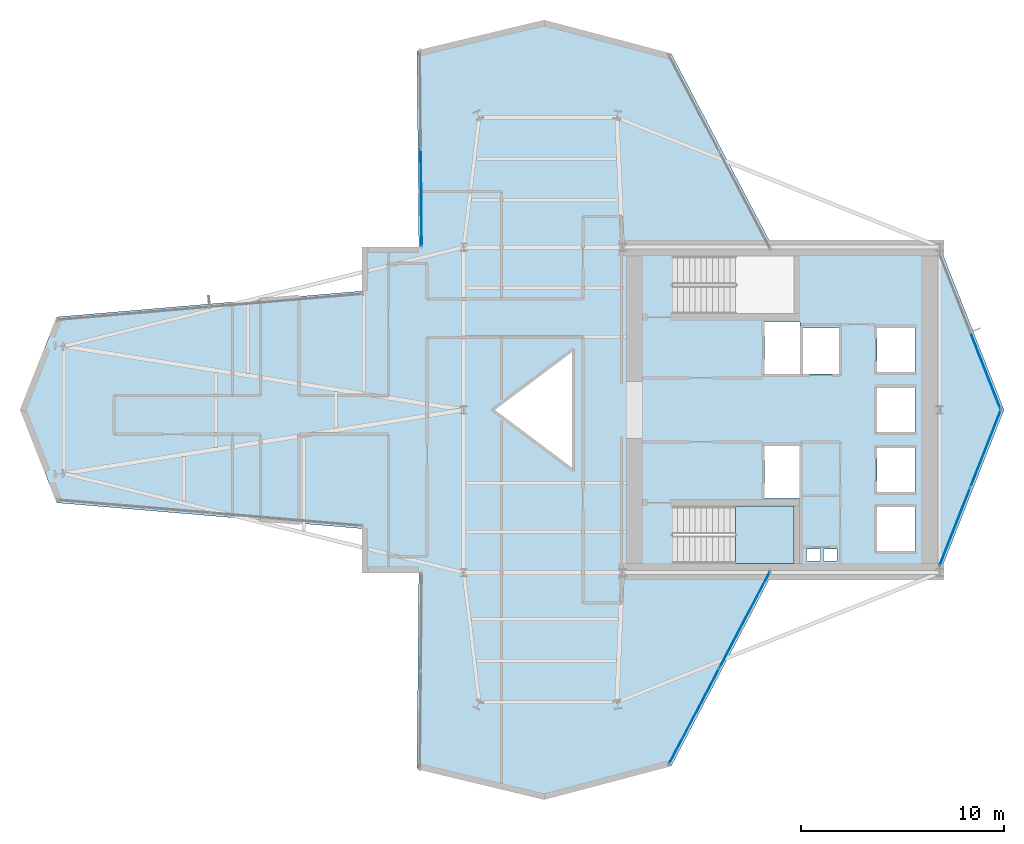
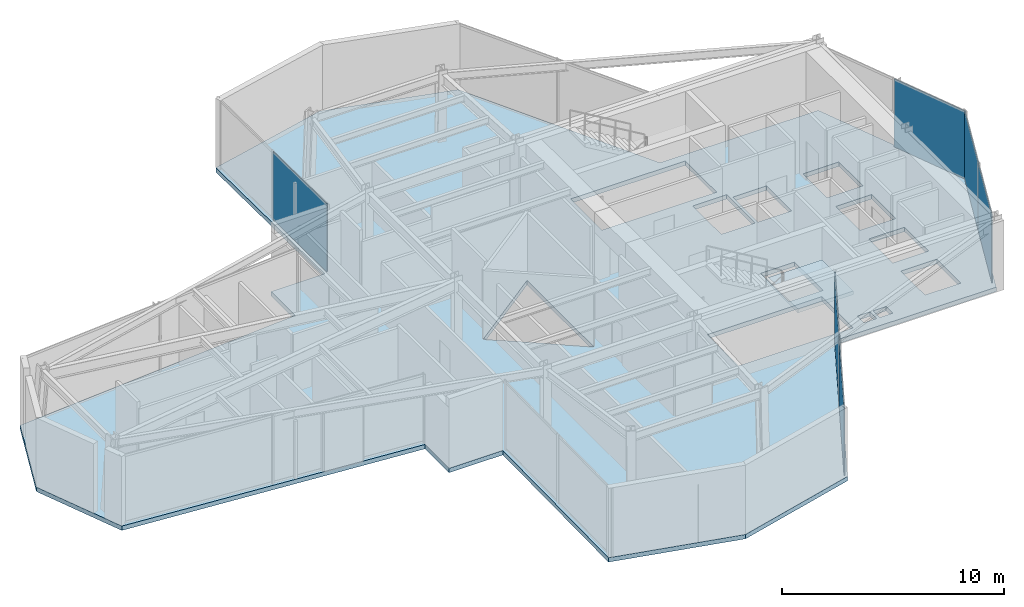
# One storey, part 20 of 25: 6 plates, 2 slabs, 5 elements without a shape of their own.
"""IFC4 building model written with IfcOpenShell, lengths in metres."""

import ifcopenshell
import ifcopenshell.guid

model = None  # the IFC model being written
_history = None  # IfcOwnerHistory: only IFC2X3 demands one
_inside = {}  # id of a spatial element -> (the spatial element, [elements in it])
_under = {}  # id of a project, library or spatial element -> (it, [spatial elements below it])
_declared = {}  # id of a project -> (the project, [libraries it declares])
_typed = {}  # id of a type object -> (the type object, [elements of that type])
_made_of = {}  # id of a material, layer set ... -> (it, [elements and type objects made of it])


def new_model(schema):
    """Start an empty IFC model of exactly this schema.

    Asked for "IFC4X3", IfcOpenShell would pick the latest addendum, in which some entities
    have other attributes; the version numbers below select the first issue.
    IFC2X3 requires an IfcOwnerHistory on every rooted entity: one is made here for all.
    """
    global model, _history
    if schema == "IFC4X3":
        model = ifcopenshell.file(schema_version=(4, 3, 0, 0))
    else:
        model = ifcopenshell.file(schema=schema)
    _inside.clear()
    _under.clear()
    _declared.clear()
    _typed.clear()
    _made_of.clear()
    _history = None
    if model.schema == "IFC2X3":
        org = make("IfcOrganization", Name="unknown")
        user = make(
            "IfcPersonAndOrganization",
            ThePerson=make("IfcPerson", FamilyName="unknown"),
            TheOrganization=org,
        )
        app = make(
            "IfcApplication",
            ApplicationDeveloper=org,
            Version="unknown",
            ApplicationFullName="unknown",
            ApplicationIdentifier="unknown",
        )
        _history = make(
            "IfcOwnerHistory",
            OwningUser=user,
            OwningApplication=app,
            ChangeAction="ADDED",
            CreationDate=0,
        )
    return model


def make(cls, **values):
    """One entity of the class cls with the attributes given. An attribute that is None is left unset."""
    return model.create_entity(
        cls, **{name: value for name, value in values.items() if value is not None}
    )


def rooted(cls, **values):
    """An entity with a GlobalId (a new one), such as an element, a storey or a relation."""
    return make(cls, GlobalId=ifcopenshell.guid.new(), OwnerHistory=_history, **values)


def si_unit(unit_type, name, prefix=None):
    """IfcSIUnit, for example si_unit("LENGTHUNIT", "METRE", prefix="MILLI")."""
    return make("IfcSIUnit", UnitType=unit_type, Prefix=prefix, Name=name)


def assignment(units):
    """IfcUnitAssignment: the units of a project."""
    return None if units is None else make("IfcUnitAssignment", Units=units)


def point(xyz):
    """IfcCartesianPoint."""
    return None if xyz is None else make("IfcCartesianPoint", Coordinates=xyz)


def direction(xyz):
    """IfcDirection."""
    return None if xyz is None else make("IfcDirection", DirectionRatios=xyz)


def frame(location, z_axis=None, x_axis=None):
    """IfcAxis2Placement3D, a coordinate frame: its origin and axes. An axis left out is left unset."""
    return make(
        "IfcAxis2Placement3D",
        Location=point(location),
        Axis=direction(z_axis),
        RefDirection=direction(x_axis),
    )


def frame_2d(location, x_axis=None):
    """IfcAxis2Placement2D, a coordinate frame in the plane: its origin and x axis."""
    return make(
        "IfcAxis2Placement2D", Location=point(location), RefDirection=direction(x_axis)
    )


def origin():
    """The frame at (0, 0, 0) with its axes left unset."""
    return frame((0.0, 0.0, 0.0))


def origin_2d():
    """The frame at (0, 0) in the plane with its x axis left unset."""
    return frame_2d((0.0, 0.0))


def place(relative_to, where):
    """IfcLocalPlacement: puts the frame where relative to a parent placement (None: the world)."""
    return make(
        "IfcLocalPlacement", PlacementRelTo=relative_to, RelativePlacement=where
    )


def context(
    kind, dimensions, precision=None, world=None, true_north=None, identifier=None
):
    """IfcGeometricRepresentationContext, for example the 3D "Model" context."""
    return make(
        "IfcGeometricRepresentationContext",
        ContextIdentifier=identifier,
        ContextType=kind,
        CoordinateSpaceDimension=dimensions,
        Precision=precision,
        WorldCoordinateSystem=world,
        TrueNorth=true_north,
    )


def subcontext(parent, identifier, kind, view, scale=None):
    """IfcGeometricRepresentationSubContext, for example "Body" below "Model"."""
    return make(
        "IfcGeometricRepresentationSubContext",
        ContextIdentifier=identifier,
        ContextType=kind,
        ParentContext=parent,
        TargetScale=scale,
        TargetView=view,
    )


def project(units=None, contexts=None):
    """IfcProject with its units and contexts."""
    return rooted(
        "IfcProject",
        Name="project",
        RepresentationContexts=contexts,
        UnitsInContext=assignment(units),
    )


def spatial(cls, under=None, at=None, **own):
    """A site, building, storey or space (cls), placed at a placement, below another one or the project."""
    s = rooted(cls, ObjectPlacement=at, **own)
    if under is not None:
        _under.setdefault(under.id(), (under, []))[1].append(s)
    return s


def polyline(points):
    """IfcPolyline through the points."""
    return make("IfcPolyline", Points=[point(p) for p in points])


def profile(cls, at=None, kind="AREA", **sizes):
    """A parametric profile (cls). Its sizes go by their IFC names, for example OverallWidth=200.0."""
    return make(cls, ProfileType=kind, Position=at, **sizes)


def rectangle(**sizes):
    """IfcRectangleProfileDef."""
    return profile("IfcRectangleProfileDef", **sizes)


def outline(outer, holes=None, kind="AREA"):
    """IfcArbitraryClosedProfileDef: a profile drawn as a closed curve; with holes, ...WithVoids."""
    if holes is None:
        return make("IfcArbitraryClosedProfileDef", ProfileType=kind, OuterCurve=outer)
    return make(
        "IfcArbitraryProfileDefWithVoids",
        ProfileType=kind,
        OuterCurve=outer,
        InnerCurves=holes,
    )


def extrude(swept, where, along, depth):
    """IfcExtrudedAreaSolid: the profile swept, set in the frame where, extruded along a direction by depth."""
    return make(
        "IfcExtrudedAreaSolid",
        SweptArea=swept,
        Position=where,
        ExtrudedDirection=direction(along),
        Depth=depth,
    )


def shape(context_of_items, identifier, shape_type, items):
    """IfcShapeRepresentation: the items that make up one representation, for example the "Body"."""
    return make(
        "IfcShapeRepresentation",
        ContextOfItems=context_of_items,
        RepresentationIdentifier=identifier,
        RepresentationType=shape_type,
        Items=items,
    )


def material(Name=None, Category=None):
    """IfcMaterial."""
    return make("IfcMaterial", Name=Name, Category=Category)


def layer(
    of_material, thickness, ventilated=None, Name=None, Category=None, Priority=None
):
    """IfcMaterialLayer: one layer of a wall or slab, of a material (None: an air gap)."""
    return make(
        "IfcMaterialLayer",
        Material=of_material,
        LayerThickness=thickness,
        IsVentilated=ventilated,
        Name=Name,
        Category=Category,
        Priority=Priority,
    )


def layer_set(layers, Name=None):
    """IfcMaterialLayerSet."""
    return make("IfcMaterialLayerSet", MaterialLayers=layers, LayerSetName=Name)


def made_of(thing, what):
    """Note that an element or type object is made of a material, layer set ...; save() writes the relation."""
    if what is not None:
        _made_of.setdefault(what.id(), (what, []))[1].append(thing)
    return thing


def type_object(cls, material=None, **own):
    """A type object (cls), such as IfcWallType, which elements share."""
    return made_of(rooted(cls, **own), material)


def element(
    cls,
    number,
    at=None,
    inside=None,
    cuts=None,
    type_object=None,
    material=None,
    context=None,
    identifier="Body",
    shape_type=None,
    held_by="IfcProductDefinitionShape",
    body=None,
    shapes=None,
    **own,
):
    """One element of the class cls, such as IfcWall. Its Tag is "e" and its number.

    at: its placement. inside: the storey or other place that contains it. cuts: it is an
    opening in that element (IfcRelVoidsElement). A single representation is given by context,
    identifier, shape_type and body (its items); several are given by shapes. held_by: the class
    of the entity that holds the representations. save() writes the other relations.
    """
    e = rooted(cls, Tag="e%d" % number, ObjectPlacement=at, **own)
    if body is not None:
        shapes = [shape(context, identifier, shape_type, body)]
    if shapes is not None:
        e.Representation = make(held_by, Representations=shapes)
    if inside is not None:
        _inside.setdefault(inside.id(), (inside, []))[1].append(e)
    if cuts is not None:
        rooted(
            "IfcRelVoidsElement", RelatingBuildingElement=cuts, RelatedOpeningElement=e
        )
    if type_object is not None:
        _typed.setdefault(type_object.id(), (type_object, []))[1].append(e)
    return made_of(e, material)


def aggregate(whole, parts):
    """IfcRelAggregates: a whole, such as a stair, and the parts it consists of."""
    return rooted("IfcRelAggregates", RelatingObject=whole, RelatedObjects=parts)


def save(model, path):
    """Write the relations noted so far, then the file.

    IfcRelAggregates (storeys below a building ...), IfcRelContainedInSpatialStructure (elements
    in a storey), IfcRelDefinesByType, IfcRelAssociatesMaterial and IfcRelDeclares: one each for
    every whole, place, type object, material and project.
    """
    for whole, parts in _under.values():
        aggregate(whole, parts)
    for where, things in _inside.values():
        rooted(
            "IfcRelContainedInSpatialStructure",
            RelatedElements=things,
            RelatingStructure=where,
        )
    for kind, things in _typed.values():
        rooted("IfcRelDefinesByType", RelatedObjects=things, RelatingType=kind)
    for what, things in _made_of.values():
        rooted("IfcRelAssociatesMaterial", RelatedObjects=things, RelatingMaterial=what)
    for by, libraries in _declared.values():
        rooted("IfcRelDeclares", RelatingContext=by, RelatedDefinitions=libraries)
    model.write(path)


model = new_model("IFC4")

# Units and contexts
model_context = context("Model", 3, precision=1e-05, world=origin(), true_north=direction((0.0, 1.0)))
body_context = subcontext(model_context, "Body", "Model", "MODEL_VIEW")
ifc_project = project(units=[si_unit("LENGTHUNIT", "METRE"), si_unit("AREAUNIT", "SQUARE_METRE"), si_unit("VOLUMEUNIT", "CUBIC_METRE"), si_unit("PLANEANGLEUNIT", "RADIAN"), si_unit("MASSUNIT", "GRAM", prefix="KILO")], contexts=[model_context])

# Site, building, storey
site_placement = place(None, origin())
site = spatial("IfcSite", under=ifc_project, at=site_placement, CompositionType="ELEMENT")
building_placement = place(site_placement, origin())
building = spatial("IfcBuilding", under=site, at=building_placement, Name="Veymaron Broadcast Tower", CompositionType="ELEMENT")
storey_placement = place(building_placement, frame((0.0, 0.0, 149.25)))
storey = spatial("IfcBuildingStorey", under=building, at=storey_placement, Name="L34", CompositionType="ELEMENT", Elevation=149.25)

# Curtain wall, plates
ifc_material_1 = material(Name="Anodised aluminium AA 6063-T6 and laminated low-E dark glass", Category="aluminium")
ifc_layer_1 = layer(ifc_material_1, 0.179931640625)
ifc_layer_set_1 = layer_set([ifc_layer_1], Name="Anodised aluminium AA 6063-T6 and laminated low-E dark glass")
curtain_wall_type = type_object("IfcCurtainWallType", Name="CW-SYS-03", PredefinedType="NOTDEFINED", material=ifc_layer_set_1)
curtain_wall_1_placement = place(storey_placement, origin())
curtain_wall_1 = element("IfcCurtainWall", 1, at=curtain_wall_1_placement, inside=storey, type_object=curtain_wall_type, Name="L34 dark-glass curtain wall CW-L34-E2-1", PredefinedType="NOTDEFINED")
ifc_material_2 = material(Name="Insulated dark-anodised aluminium spandrel panel 40 mm", Category="aluminium")
ifc_layer_2 = layer(ifc_material_2, 0.0400390625)
ifc_layer_set_2 = layer_set([ifc_layer_2], Name="Insulated dark-anodised aluminium spandrel panel 40 mm")
plate_type = type_object("IfcPlateType", Name="CW-PNL-03", PredefinedType="CURTAIN_PANEL", material=ifc_layer_set_2)
plate_1_placement = place(storey_placement, frame((55.331787109375, 18.240478515625, 0.0400390625), z_axis=(0.0, 0.0, 1.0), x_axis=(0.366371312352, 0.930468732137, 0.0)))
plate_1 = element("IfcPlate", 2, at=plate_1_placement, type_object=plate_type, Name="CW-L34-E2-1 unitised curtain panel 0", PredefinedType="CURTAIN_PANEL", context=body_context, shape_type="SweptSolid", body=[
    extrude(rectangle(XDim=4.103515625, YDim=0.0400390625, at=origin_2d()), origin(), (0.0, 0.0, 1.0), 3.72998046875),
])
plate_2_placement = place(storey_placement, frame((56.85693359375, 22.1142578125, 0.0400390625), z_axis=(0.0, 0.0, 1.0), x_axis=(0.366371312352, 0.930468732137, 0.0)))
plate_2 = element("IfcPlate", 3, at=plate_2_placement, type_object=plate_type, Name="CW-L34-E2-1 unitised curtain panel 1", PredefinedType="CURTAIN_PANEL", context=body_context, shape_type="SweptSolid", body=[
    extrude(rectangle(XDim=4.103515625, YDim=0.0400390625, at=origin_2d()), origin(), (0.0, 0.0, 1.0), 3.72998046875),
])
aggregate(curtain_wall_1, [plate_1, plate_2])

# Curtain wall, plate
curtain_wall_2_placement = place(storey_placement, origin())
curtain_wall_2 = element("IfcCurtainWall", 4, at=curtain_wall_2_placement, inside=storey, type_object=curtain_wall_type, Name="L34 dark-glass curtain wall CW-L34-E3-1", PredefinedType="NOTDEFINED")
plate_3_placement = place(storey_placement, frame((56.85693359375, 25.8857421875, 0.0400390625), z_axis=(0.0, 0.0, 1.0), x_axis=(-0.366371312352, 0.930468732137, 0.0)))
plate_3 = element("IfcPlate", 5, at=plate_3_placement, type_object=plate_type, Name="CW-L34-E3-1 unitised curtain panel 0", PredefinedType="CURTAIN_PANEL", context=body_context, shape_type="SweptSolid", body=[
    extrude(rectangle(XDim=4.103515625, YDim=0.0400390625, at=origin_2d()), origin(), (0.0, 0.0, 1.0), 3.72998046875),
])
aggregate(curtain_wall_2, [plate_3])

curtain_wall_3_placement = place(storey_placement, origin())
curtain_wall_3 = element("IfcCurtainWall", 6, at=curtain_wall_3_placement, inside=storey, type_object=curtain_wall_type, Name="L34 dark-glass curtain wall CW-L34-E8-1", PredefinedType="NOTDEFINED")
plate_4_placement = place(storey_placement, frame((29.10986328125, 34.413818359375, 0.0400390625), z_axis=(0.0, 0.0, 1.0), x_axis=(0.009354828341, -0.999956242636, 0.0)))
plate_4 = element("IfcPlate", 7, at=plate_4_placement, type_object=plate_type, Name="CW-L34-E8-1 unitised curtain panel 1", PredefinedType="CURTAIN_PANEL", context=body_context, shape_type="SweptSolid", body=[
    extrude(rectangle(XDim=4.76513671875, YDim=0.0400390625, at=origin_2d()), origin(), (0.0, 0.0, 1.0), 3.72998046875),
])
aggregate(curtain_wall_3, [plate_4])

# Curtain wall, plates
curtain_wall_4_placement = place(storey_placement, origin())
curtain_wall_4 = element("IfcCurtainWall", 8, at=curtain_wall_4_placement, inside=storey, type_object=curtain_wall_type, Name="L34 dark-glass curtain wall CW-L34-E20-1", PredefinedType="NOTDEFINED")
plate_5_placement = place(storey_placement, frame((42.519287109375, 8.93994140625, 0.0400390625), z_axis=(0.0, 0.0, 1.0), x_axis=(0.46447113214, 0.885588260654, 0.0)))
plate_5 = element("IfcPlate", 9, at=plate_5_placement, type_object=plate_type, Name="CW-L34-E20-1 unitised curtain panel 0", PredefinedType="CURTAIN_PANEL", context=body_context, shape_type="SweptSolid", body=[
    extrude(rectangle(XDim=5.3037109375, YDim=0.0400390625, at=origin_2d()), origin(), (0.0, 0.0, 1.0), 3.72998046875),
])
plate_6_placement = place(storey_placement, frame((45.0107421875, 13.68994140625, 0.0400390625), z_axis=(0.0, 0.0, 1.0), x_axis=(0.46447113214, 0.885588260654, 0.0)))
plate_6 = element("IfcPlate", 10, at=plate_6_placement, type_object=plate_type, Name="CW-L34-E20-1 unitised curtain panel 1", PredefinedType="CURTAIN_PANEL", context=body_context, shape_type="SweptSolid", body=[
    extrude(rectangle(XDim=5.3037109375, YDim=0.0400390625, at=origin_2d()), origin(), (0.0, 0.0, 1.0), 3.72998046875),
])
aggregate(curtain_wall_4, [plate_5, plate_6])

# Slab
ifc_material_3 = material(Name="Concrete C40/50", Category="concrete")
ifc_layer_3 = layer(ifc_material_3, 0.239990234375)
ifc_layer_set_3 = layer_set([ifc_layer_3], Name="Concrete C40/50")
slab_type_1 = type_object("IfcSlabType", Name="SLAB-FS6", PredefinedType="FLOOR", material=ifc_layer_set_3)
slab_1_placement = place(storey_placement, frame((0.0, 0.0, -0.239990234375)))
element("IfcSlab", 11, at=slab_1_placement, inside=storey, type_object=slab_type_1, Name="L34 structural floor slab", PredefinedType="FLOOR", context=body_context, shape_type="SweptSolid", body=[
    extrude(outline(polyline([(46.38037109375, 16.0), (54.60009765625, 16.0), (57.75, 24.0), (54.60009765625, 32.0), (46.38037109375, 32.0), (41.397705078125, 41.5), (35.14990234375, 43.14990234375), (28.902099609375, 41.64990234375), (28.992431640625, 32.0), (26.199951171875, 32.0), (26.199951171875, 29.837890625), (11.199951171875, 28.565673828125), (9.39990234375, 24.0), (11.199951171875, 19.434326171875), (26.199951171875, 18.162109375), (26.199951171875, 16.0), (28.992431640625, 16.0), (28.902099609375, 6.35009765625), (35.14990234375, 4.85009765625), (41.397705078125, 6.5), (46.38037109375, 16.0)]), holes=[polyline([(45.969970703125, 28.330078125), (47.72998046875, 28.330078125), (47.72998046875, 25.77001953125), (45.969970703125, 25.77001953125), (45.969970703125, 28.330078125)]), polyline([(45.969970703125, 22.22998046875), (47.72998046875, 22.22998046875), (47.72998046875, 19.669921875), (45.969970703125, 19.669921875), (45.969970703125, 22.22998046875)]), polyline([(47.8701171875, 28.030029296875), (49.6298828125, 28.030029296875), (49.6298828125, 25.77001953125), (47.8701171875, 25.77001953125), (47.8701171875, 28.030029296875)]), polyline([(51.52001953125, 28.030029296875), (53.3798828125, 28.030029296875), (53.3798828125, 25.8701171875), (51.52001953125, 25.8701171875), (51.52001953125, 28.030029296875)]), polyline([(51.52001953125, 22.1298828125), (53.3798828125, 22.1298828125), (53.3798828125, 19.969970703125), (51.52001953125, 19.969970703125), (51.52001953125, 22.1298828125)]), polyline([(51.52001953125, 25.080078125), (53.3798828125, 25.080078125), (53.3798828125, 22.919921875), (51.52001953125, 22.919921875), (51.52001953125, 25.080078125)]), polyline([(51.52001953125, 19.22998046875), (53.3798828125, 19.22998046875), (53.3798828125, 17.070068359375), (51.52001953125, 17.070068359375), (51.52001953125, 19.22998046875)]), polyline([(48.050048828125, 17.159912109375), (48.719970703125, 17.159912109375), (48.719970703125, 16.56005859375), (48.050048828125, 16.56005859375), (48.050048828125, 17.159912109375)]), polyline([(48.8798828125, 17.159912109375), (49.550048828125, 17.159912109375), (49.550048828125, 16.56005859375), (48.8798828125, 16.56005859375), (48.8798828125, 17.159912109375)]), polyline([(36.60009765625, 27.0), (36.60009765625, 21.0), (32.60009765625, 24.0), (36.60009765625, 27.0)]), polyline([(41.489990234375, 31.550048828125), (47.43994140625, 31.550048828125), (47.43994140625, 28.72998046875), (41.489990234375, 28.72998046875), (41.489990234375, 31.550048828125)]), polyline([(41.489990234375, 19.27001953125), (47.43994140625, 19.27001953125), (47.43994140625, 16.449951171875), (41.489990234375, 16.449951171875), (41.489990234375, 19.27001953125)])]), origin(), (0.0, 0.0, 1.0), 0.239990234375),
])

# Stair, slab
ifc_material_4 = material(Name="Concrete C50/60", Category="concrete")
stair_type = type_object("IfcStairType", Name="STAIR-CORE-2", PredefinedType="HALF_TURN_STAIR", material=ifc_material_4)
stair_placement = place(storey_placement, origin())
stair = element("IfcStair", 12, at=stair_placement, inside=storey, type_object=stair_type, Name="L34 South protected dog-leg exit stair ST2", PredefinedType="HALF_TURN_STAIR")
ifc_layer_4 = layer(ifc_material_4, 0.199951171875)
ifc_layer_set_4 = layer_set([ifc_layer_4], Name="Concrete C50/60")
slab_type_2 = type_object("IfcSlabType", Name="SLAB-STAIR-LDG", PredefinedType="LANDING", material=ifc_layer_set_4)
slab_2_placement = place(storey_placement, frame((0.0, 0.0, 1.824951171875)))
slab_2 = element("IfcSlab", 13, at=slab_2_placement, type_object=slab_type_2, Name="ST2 landing 1", PredefinedType="LANDING", context=body_context, shape_type="SweptSolid", body=[
    extrude(outline(polyline([(44.56494140625, 16.449951171875), (47.43994140625, 16.449951171875), (47.43994140625, 19.27001953125), (44.56494140625, 19.27001953125), (44.56494140625, 16.449951171875)])), origin(), (0.0, 0.0, 1.0), 0.199951171875),
])
aggregate(stair, [slab_2])

save(model, "model.ifc")
